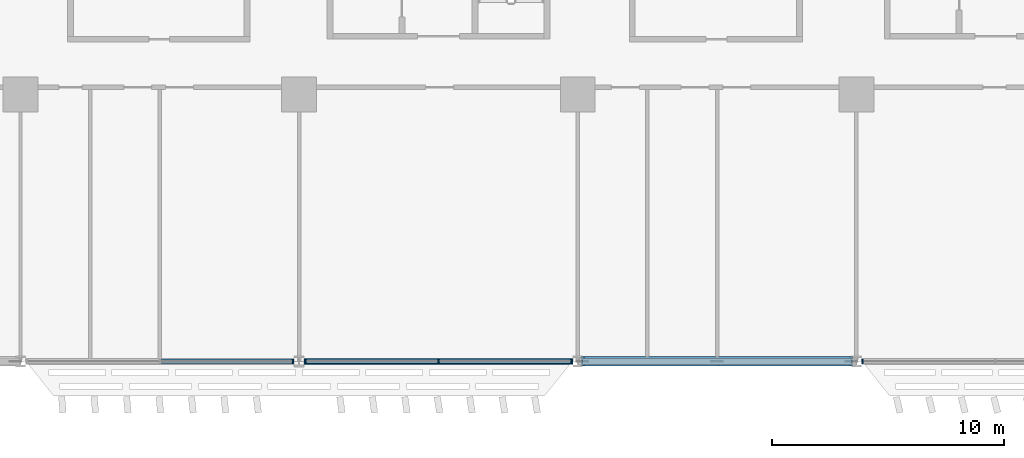
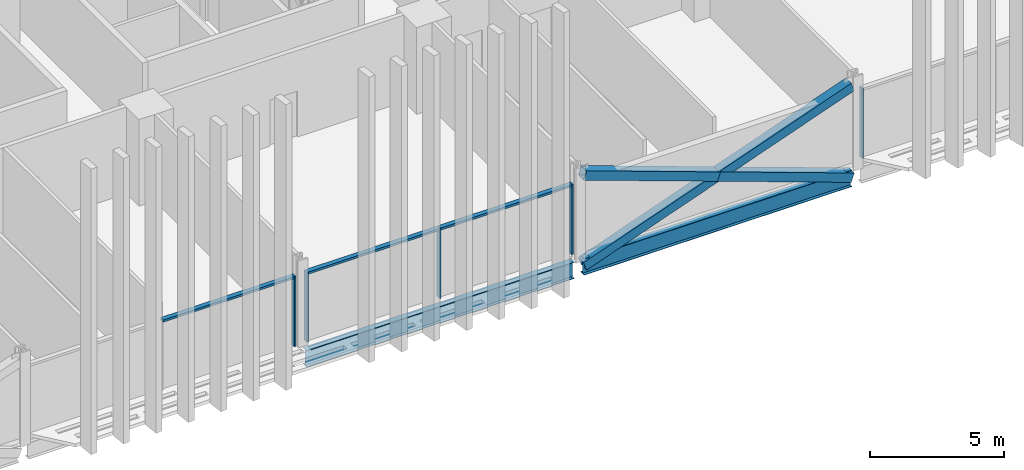
# One storey, part 5 of 29: 11 members, 2 beams, 3 elements without a shape of their own.
"""IFC4 building model written with IfcOpenShell, lengths in metres."""

from ifc_helpers import new_model, si_unit, direction, frame, origin, origin_2d, place, context, subcontext, project, spatial, rectangle, hollow_rectangle, i_section, extrude, material, material_profile, profile_set, type_object, element, aggregate, save


model = new_model("IFC4")

# Units and contexts
model_context = context("Model", 3, precision=1e-05, world=origin(), true_north=direction((0.0, 1.0)))
body_context = subcontext(model_context, "Body", "Model", "MODEL_VIEW")
ifc_project = project(units=[si_unit("LENGTHUNIT", "METRE"), si_unit("AREAUNIT", "SQUARE_METRE"), si_unit("VOLUMEUNIT", "CUBIC_METRE"), si_unit("PLANEANGLEUNIT", "RADIAN"), si_unit("MASSUNIT", "GRAM", prefix="KILO")], contexts=[model_context])

# Site, building, storey
site_placement = place(None, origin())
site = spatial("IfcSite", under=ifc_project, at=site_placement, CompositionType="ELEMENT")
building_placement = place(site_placement, origin())
building = spatial("IfcBuilding", under=site, at=building_placement, Name="Mahtab Terrace Research Tower", CompositionType="ELEMENT")
storey_placement = place(building_placement, frame((0.0, 0.0, 63.199951171875)))
storey = spatial("IfcBuildingStorey", under=building, at=storey_placement, Name="L14", CompositionType="ELEMENT", Elevation=63.199951171875)

# Members
ifc_material_1 = material(Name="Steel ASTM A500 Gr C", Category="steel")
ifc_material_profile_1 = material_profile(ifc_material_1, hollow_rectangle(XDim=0.406494140625, YDim=0.406494140625, WallThickness=0.01904296875, at=origin_2d()), Name="HSS16X16X3/4")
ifc_profile_set_1 = profile_set([ifc_material_profile_1], Name="Steel ASTM A500 Gr C")
member_type_1 = type_object("IfcMemberType", Name="HSS 16x16x3/4 brace XB161634", PredefinedType="BRACE", material=ifc_profile_set_1)
member_1_placement = place(storey_placement, frame((6.212158203125, -23.0, -0.642333984375), z_axis=(0.941386519928, 0.0, 0.337329838731), x_axis=(0.0, 1.0, 0.0)))
element("IfcMember", 1, at=member_1_placement, inside=storey, type_object=member_type_1, Name="Exoskeleton brace L14 17 a", PredefinedType="BRACE", context=body_context, shape_type="SweptSolid", body=[
    extrude(hollow_rectangle(XDim=0.406494140625, YDim=0.406494140625, WallThickness=0.01904296875, at=origin_2d()), origin(), (0.0, 0.0, 1.0), 12.29638671875),
])
for number, where, z_axis, x_axis, name in (
    (2, (17.787841796875, -23.0, -0.642333984375), (-0.941386519928, 0.0, 0.337329838731), (0.0, -1.0, 0.0), "Exoskeleton brace L14 17 b1"),
    (3, (12.0, -23.0, 1.431640625), (-0.941386519928, 0.0, 0.337329838731), (0.0, -1.0, 0.0), "Exoskeleton brace L14 17 b2"),
):
    element("IfcMember", number, at=place(storey_placement, frame(where, z_axis=z_axis, x_axis=x_axis)), inside=storey, type_object=member_type_1, Name=name, PredefinedType="BRACE", context=body_context, shape_type="SweptSolid", body=[
        extrude(hollow_rectangle(XDim=0.406494140625, YDim=0.406494140625, WallThickness=0.01904296875, at=origin_2d()), origin(), (0.0, 0.0, 1.0), 6.148193359375),
    ])

# Curtain wall, member
ifc_material_2 = material(Name="Laboratory ribbon curtain wall")
curtain_wall_type = type_object("IfcCurtainWallType", Name="Laboratory ribbon curtain wall", PredefinedType="NOTDEFINED", material=ifc_material_2)
curtain_wall_1_placement = place(storey_placement, origin())
curtain_wall_1 = element("IfcCurtainWall", 4, at=curtain_wall_1_placement, inside=storey, type_object=curtain_wall_type, Name="EN.L14.13.25", PredefinedType="NOTDEFINED")
ifc_material_3 = material(Name="Natural anodised aluminium", Category="aluminium")
ifc_material_profile_2 = material_profile(ifc_material_3, rectangle(XDim=0.199951171875, YDim=0.06494140625, at=origin_2d()), Name="MULLION 65x200")
ifc_profile_set_2 = profile_set([ifc_material_profile_2], Name="Natural anodised aluminium")
member_type_2 = type_object("IfcMemberType", Name="Laboratory ribbon curtain wall mullion", PredefinedType="MULLION", material=ifc_profile_set_2)
member_2_placement = place(storey_placement, frame((-6.2705078125, -23.0, 0.0), z_axis=(0.0, 0.0, 1.0), x_axis=(0.0, 1.0, 0.0)))
member_2 = element("IfcMember", 5, at=member_2_placement, type_object=member_type_2, Name="CWL-2 mullion 3", PredefinedType="MULLION", context=body_context, shape_type="SweptSolid", body=[
    extrude(rectangle(XDim=0.199951171875, YDim=0.06494140625, at=origin_2d()), origin(), (0.0, 0.0, 1.0), 3.203125),
])

# Curtain wall, members
curtain_wall_2_placement = place(storey_placement, origin())
curtain_wall_2 = element("IfcCurtainWall", 6, at=curtain_wall_2_placement, inside=storey, type_object=curtain_wall_type, Name="EN.L14.13.26", PredefinedType="NOTDEFINED")
member_3_placement = place(storey_placement, frame((-5.7294921875, -23.0, 0.0), z_axis=(0.0, 0.0, 1.0), x_axis=(0.0, 1.0, 0.0)))
member_3 = element("IfcMember", 7, at=member_3_placement, type_object=member_type_2, Name="CWL-2 mullion 1", PredefinedType="MULLION", context=body_context, shape_type="SweptSolid", body=[
    extrude(rectangle(XDim=0.199951171875, YDim=0.06494140625, at=origin_2d()), origin(), (0.0, 0.0, 1.0), 3.203125),
])
member_4_placement = place(storey_placement, frame((0.0, -23.0, 0.0), z_axis=(0.0, 0.0, 1.0), x_axis=(0.0, 1.0, 0.0)))
member_4 = element("IfcMember", 8, at=member_4_placement, type_object=member_type_2, Name="CWL-2 mullion 2", PredefinedType="MULLION", context=body_context, shape_type="SweptSolid", body=[
    extrude(rectangle(XDim=0.199951171875, YDim=0.06494140625, at=origin_2d()), origin(), (0.0, 0.0, 1.0), 3.203125),
])
member_5_placement = place(storey_placement, frame((5.7294921875, -23.0, 0.0), z_axis=(0.0, 0.0, 1.0), x_axis=(0.0, 1.0, 0.0)))
member_5 = element("IfcMember", 9, at=member_5_placement, type_object=member_type_2, Name="CWL-2 mullion 3", PredefinedType="MULLION", context=body_context, shape_type="SweptSolid", body=[
    extrude(rectangle(XDim=0.199951171875, YDim=0.06494140625, at=origin_2d()), origin(), (0.0, 0.0, 1.0), 3.203125),
])

# Curtain wall, member
curtain_wall_3_placement = place(storey_placement, origin())
curtain_wall_3 = element("IfcCurtainWall", 10, at=curtain_wall_3_placement, inside=storey, type_object=curtain_wall_type, Name="EN.L14.13.28", PredefinedType="NOTDEFINED")
member_6_placement = place(storey_placement, frame((18.2705078125, -23.0, 0.0), z_axis=(0.0, 0.0, 1.0), x_axis=(0.0, 1.0, 0.0)))
member_6 = element("IfcMember", 11, at=member_6_placement, type_object=member_type_2, Name="CWL-2 mullion 1", PredefinedType="MULLION", context=body_context, shape_type="SweptSolid", body=[
    extrude(rectangle(XDim=0.199951171875, YDim=0.06494140625, at=origin_2d()), origin(), (0.0, 0.0, 1.0), 3.203125),
])
aggregate(curtain_wall_3, [member_6])

# Member
ifc_material_profile_3 = material_profile(ifc_material_3, rectangle(XDim=0.199951171875, YDim=0.10009765625, at=origin_2d()), Name="TRANSOM 100x200")
ifc_profile_set_3 = profile_set([ifc_material_profile_3], Name="Natural anodised aluminium")
member_type_3 = type_object("IfcMemberType", Name="Laboratory ribbon curtain wall transom", PredefinedType="USERDEFINED", material=ifc_profile_set_3)
member_7_placement = place(storey_placement, frame((-11.967529296875, -23.0, 3.153076171875), z_axis=(1.0, 0.0, 0.0), x_axis=(0.0, 1.0, 0.0)))
member_7 = element("IfcMember", 12, at=member_7_placement, type_object=member_type_3, Name="CWL-2 transom 2", ObjectType="TRANSOM", PredefinedType="USERDEFINED", context=body_context, shape_type="SweptSolid", body=[
    extrude(rectangle(XDim=0.199951171875, YDim=0.10009765625, at=origin_2d()), origin(), (0.0, 0.0, 1.0), 5.66455078125),
])

aggregate(curtain_wall_1, [member_2, member_7])

member_8_placement = place(storey_placement, frame((-5.697021484375, -23.0, 3.153076171875), z_axis=(1.0, 0.0, 0.0), x_axis=(0.0, 1.0, 0.0)))
member_8 = element("IfcMember", 13, at=member_8_placement, type_object=member_type_3, Name="CWL-2 transom 1", ObjectType="TRANSOM", PredefinedType="USERDEFINED", context=body_context, shape_type="SweptSolid", body=[
    extrude(rectangle(XDim=0.199951171875, YDim=0.10009765625, at=origin_2d()), origin(), (0.0, 0.0, 1.0), 5.66455078125),
])

member_9_placement = place(storey_placement, frame((0.032470703125, -23.0, 3.153076171875), z_axis=(1.0, 0.0, 0.0), x_axis=(0.0, 1.0, 0.0)))
member_9 = element("IfcMember", 14, at=member_9_placement, type_object=member_type_3, Name="CWL-2 transom 2", ObjectType="TRANSOM", PredefinedType="USERDEFINED", context=body_context, shape_type="SweptSolid", body=[
    extrude(rectangle(XDim=0.199951171875, YDim=0.10009765625, at=origin_2d()), origin(), (0.0, 0.0, 1.0), 5.66455078125),
])

aggregate(curtain_wall_2, [member_3, member_4, member_5, member_8, member_9])

# Beams
ifc_material_4 = material(Name="Steel ASTM A992 Gr 50", Category="steel")
ifc_material_profile_4 = material_profile(ifc_material_4, i_section(OverallWidth=0.2666015625, OverallDepth=0.7568359375, WebThickness=0.013916015625, FlangeThickness=0.019287109375, at=origin_2d()), Name="W30X108")
ifc_profile_set_4 = profile_set([ifc_material_profile_4], Name="Steel ASTM A992 Gr 50")
beam_type = type_object("IfcBeamType", Name="W30x108 beam BS30108", PredefinedType="BEAM", material=ifc_profile_set_4)
for number, where, z_axis, x_axis, name in (
    (15, (-5.787841796875, -23.0, -0.718505859375), (1.0, 0.0, 0.0), (0.0, 1.0, 0.0), "Spandrel beam L14 16"),
    (16, (6.212158203125, -23.0, -0.718505859375), (1.0, 0.0, 0.0), (0.0, 1.0, 0.0), "Spandrel beam L14 17"),
):
    element("IfcBeam", number, at=place(storey_placement, frame(where, z_axis=z_axis, x_axis=x_axis)), inside=storey, type_object=beam_type, Name=name, PredefinedType="BEAM", context=body_context, shape_type="SweptSolid", body=[
        extrude(i_section(OverallWidth=0.2666015625, OverallDepth=0.7568359375, WebThickness=0.013916015625, FlangeThickness=0.019287109375, at=origin_2d()), origin(), (0.0, 0.0, 1.0), 11.57568359375),
    ])

save(model, "model.ifc")
